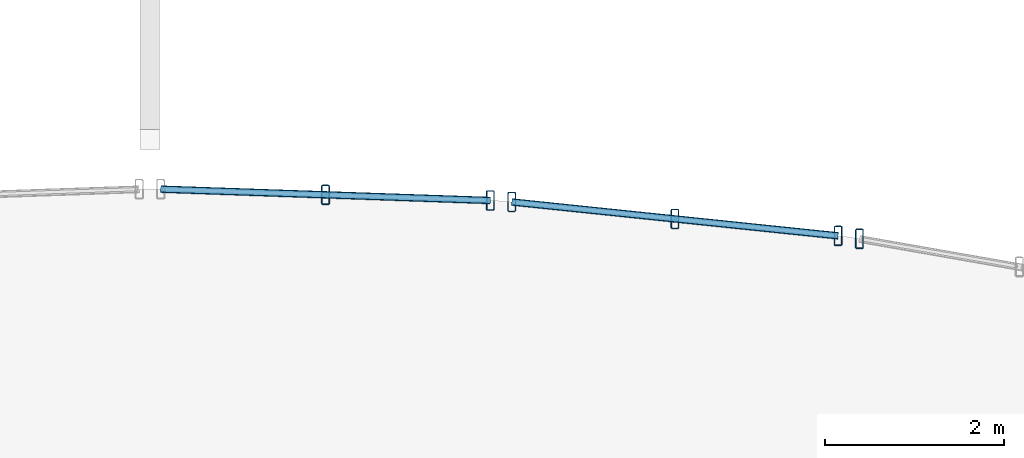
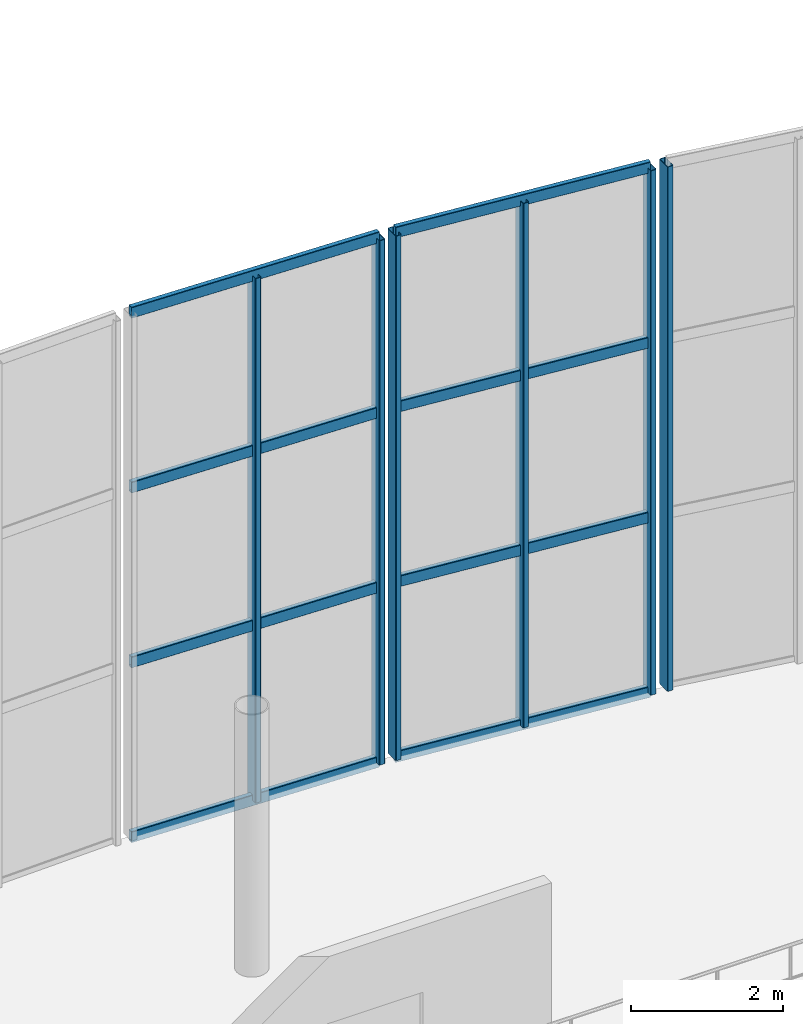
# One storey, part 37 of 109: 14 members, 3 elements without a shape of their own.
"""IFC4 building model written with IfcOpenShell, lengths in metres."""

from ifc_helpers import new_model, si_unit, derived_unit, direction, frame, origin, origin_2d, place, context, subcontext, project, spatial, hollow_rectangle, extrude, material, material_profile, profile_set, type_object, element, aggregate, save


model = new_model("IFC4")

# Units and contexts
model_context = context("Model", 3, precision=1e-05, world=origin(), true_north=direction((0.0, 1.0)))
body_context = subcontext(model_context, "Body", "Model", "MODEL_VIEW")
ifc_project = project(units=[si_unit("LENGTHUNIT", "METRE"), si_unit("AREAUNIT", "SQUARE_METRE"), si_unit("VOLUMEUNIT", "CUBIC_METRE"), si_unit("PLANEANGLEUNIT", "RADIAN"), si_unit("MASSUNIT", "GRAM", prefix="KILO"), derived_unit("THERMALTRANSMITTANCEUNIT", [(si_unit("MASSUNIT", "GRAM", prefix="KILO"), 1), (si_unit("TIMEUNIT", "SECOND"), -3), (si_unit("THERMODYNAMICTEMPERATUREUNIT", "KELVIN"), -1)])], contexts=[model_context])

# Site, building, storey
site_placement = place(None, origin())
site = spatial("IfcSite", under=ifc_project, at=site_placement, CompositionType="ELEMENT")
building_placement = place(site_placement, origin())
building = spatial("IfcBuilding", under=site, at=building_placement, Name="Kharveza Railside Sports Centre", CompositionType="ELEMENT")
storey_placement = place(building_placement, frame((0.0, 0.0, 4.5)))
storey = spatial("IfcBuildingStorey", under=building, at=storey_placement, Name="L01", CompositionType="ELEMENT", Elevation=4.5)

# Curtain wall, member
ifc_material_1 = material(Name="Low-E solar-control laminated glass", Category="glass")
curtain_wall_type = type_object("IfcCurtainWallType", Name="CW-DR01", PredefinedType="NOTDEFINED", material=ifc_material_1)
curtain_wall_1_placement = place(storey_placement, origin())
curtain_wall_1 = element("IfcCurtainWall", 1, at=curtain_wall_1_placement, inside=storey, type_object=curtain_wall_type, Name="CW-DRUM-14", PredefinedType="NOTDEFINED")
ifc_material_2 = material(Name="Anodised aluminium 6063-T6", Category="aluminium")
ifc_material_profile_1 = material_profile(ifc_material_2, hollow_rectangle(XDim=0.090087890625, YDim=0.219970703125, WallThickness=0.008056640625, InnerFilletRadius=0.008056640625, OuterFilletRadius=0.01611328125, at=origin_2d()), Name="RHS 90x220x8.0")
ifc_profile_set_1 = profile_set([ifc_material_profile_1], Name="Anodised aluminium 6063-T6")
member_type_1 = type_object("IfcMemberType", Name="CW-ML01", PredefinedType="MULLION", material=ifc_profile_set_1)
member_1_placement = place(storey_placement, frame((62.521728515625, 77.84130859375, 0.0), z_axis=(0.0, 0.0, 1.0), x_axis=(1.0, 0.0, 0.0)))
member_1 = element("IfcMember", 2, at=member_1_placement, type_object=member_type_1, Name="CW-DRUM-14-ML3", PredefinedType="MULLION", context=body_context, shape_type="SweptSolid", body=[
    extrude(hollow_rectangle(XDim=0.090087890625, YDim=0.219970703125, WallThickness=0.008056640625, InnerFilletRadius=0.008056640625, OuterFilletRadius=0.01611328125, at=origin_2d()), origin(), (0.0, 0.0, 1.0), 8.39990234375),
])
aggregate(curtain_wall_1, [member_1])

# Curtain wall, members
curtain_wall_2_placement = place(storey_placement, origin())
curtain_wall_2 = element("IfcCurtainWall", 3, at=curtain_wall_2_placement, inside=storey, type_object=curtain_wall_type, Name="CW-DRUM-15", PredefinedType="NOTDEFINED")
member_2_placement = place(storey_placement, frame((62.2841796875, 77.87451171875, 0.0), z_axis=(0.0, 0.0, 1.0), x_axis=(1.0, 0.0, 0.0)))
member_2 = element("IfcMember", 4, at=member_2_placement, type_object=member_type_1, Name="CW-DRUM-15-ML1", PredefinedType="MULLION", context=body_context, shape_type="SweptSolid", body=[
    extrude(hollow_rectangle(XDim=0.090087890625, YDim=0.219970703125, WallThickness=0.008056640625, InnerFilletRadius=0.008056640625, OuterFilletRadius=0.01611328125, at=origin_2d()), origin(), (0.0, 0.0, 1.0), 8.39990234375),
])
member_3_placement = place(storey_placement, frame((60.462158203125, 78.063720703125, 0.0), z_axis=(0.0, 0.0, 1.0), x_axis=(1.0, 0.0, 0.0)))
member_3 = element("IfcMember", 5, at=member_3_placement, type_object=member_type_1, Name="CW-DRUM-15-ML2", PredefinedType="MULLION", context=body_context, shape_type="SweptSolid", body=[
    extrude(hollow_rectangle(XDim=0.090087890625, YDim=0.219970703125, WallThickness=0.008056640625, InnerFilletRadius=0.008056640625, OuterFilletRadius=0.01611328125, at=origin_2d()), origin(), (0.0, 0.0, 1.0), 8.39990234375),
])
member_4_placement = place(storey_placement, frame((58.639892578125, 78.252685546875, 0.0), z_axis=(0.0, 0.0, 1.0), x_axis=(1.0, 0.0, 0.0)))
member_4 = element("IfcMember", 6, at=member_4_placement, type_object=member_type_1, Name="CW-DRUM-15-ML3", PredefinedType="MULLION", context=body_context, shape_type="SweptSolid", body=[
    extrude(hollow_rectangle(XDim=0.090087890625, YDim=0.219970703125, WallThickness=0.008056640625, InnerFilletRadius=0.008056640625, OuterFilletRadius=0.01611328125, at=origin_2d()), origin(), (0.0, 0.0, 1.0), 8.39990234375),
])

curtain_wall_3_placement = place(storey_placement, origin())
curtain_wall_3 = element("IfcCurtainWall", 7, at=curtain_wall_3_placement, inside=storey, type_object=curtain_wall_type, Name="CW-DRUM-16", PredefinedType="NOTDEFINED")
member_5_placement = place(storey_placement, frame((58.40087890625, 78.269287109375, 0.0), z_axis=(0.0, 0.0, 1.0), x_axis=(1.0, 0.0, 0.0)))
member_5 = element("IfcMember", 8, at=member_5_placement, type_object=member_type_1, Name="CW-DRUM-16-ML1", PredefinedType="MULLION", context=body_context, shape_type="SweptSolid", body=[
    extrude(hollow_rectangle(XDim=0.090087890625, YDim=0.219970703125, WallThickness=0.008056640625, InnerFilletRadius=0.008056640625, OuterFilletRadius=0.01611328125, at=origin_2d()), origin(), (0.0, 0.0, 1.0), 8.39990234375),
])
member_6_placement = place(storey_placement, frame((56.560302734375, 78.33251953125, 0.0), z_axis=(0.0, 0.0, 1.0), x_axis=(1.0, 0.0, 0.0)))
member_6 = element("IfcMember", 9, at=member_6_placement, type_object=member_type_1, Name="CW-DRUM-16-ML2", PredefinedType="MULLION", context=body_context, shape_type="SweptSolid", body=[
    extrude(hollow_rectangle(XDim=0.090087890625, YDim=0.219970703125, WallThickness=0.008056640625, InnerFilletRadius=0.008056640625, OuterFilletRadius=0.01611328125, at=origin_2d()), origin(), (0.0, 0.0, 1.0), 8.39990234375),
])

# Member
ifc_material_profile_2 = material_profile(ifc_material_2, hollow_rectangle(XDim=0.080078125, YDim=0.179931640625, WallThickness=0.00634765625, InnerFilletRadius=0.00634765625, OuterFilletRadius=0.0126953125, at=origin_2d()), Name="RHS 80x180x6.3")
ifc_profile_set_2 = profile_set([ifc_material_profile_2], Name="Anodised aluminium 6063-T6")
member_type_2 = type_object("IfcMemberType", Name="CW-TR01", PredefinedType="USERDEFINED", material=ifc_profile_set_2)
member_7_placement = place(storey_placement, frame((62.2841796875, 77.87451171875, 0.0), z_axis=(-0.994658817436, 0.103217425351, 0.0), x_axis=(-0.103217425351, -0.994658817436, 0.0)))
member_7 = element("IfcMember", 10, at=member_7_placement, type_object=member_type_2, Name="CW-DRUM-15-TR1", ObjectType="TRANSOM", PredefinedType="USERDEFINED", context=body_context, shape_type="SweptSolid", body=[
    extrude(hollow_rectangle(XDim=0.080078125, YDim=0.179931640625, WallThickness=0.00634765625, InnerFilletRadius=0.00634765625, OuterFilletRadius=0.0126953125, at=origin_2d()), origin(), (0.0, 0.0, 1.0), 3.663818359375),
])

member_8_placement = place(storey_placement, frame((62.2841796875, 77.87451171875, 2.800048828125), z_axis=(-0.994658817436, 0.103217425351, 0.0), x_axis=(-0.103217425351, -0.994658817436, 0.0)))
member_8 = element("IfcMember", 11, at=member_8_placement, type_object=member_type_2, Name="CW-DRUM-15-TR2", ObjectType="TRANSOM", PredefinedType="USERDEFINED", context=body_context, shape_type="SweptSolid", body=[
    extrude(hollow_rectangle(XDim=0.080078125, YDim=0.179931640625, WallThickness=0.00634765625, InnerFilletRadius=0.00634765625, OuterFilletRadius=0.0126953125, at=origin_2d()), origin(), (0.0, 0.0, 1.0), 3.663818359375),
])

member_9_placement = place(storey_placement, frame((62.2841796875, 77.87451171875, 5.60009765625), z_axis=(-0.994658817436, 0.103217425351, 0.0), x_axis=(-0.103217425351, -0.994658817436, 0.0)))
member_9 = element("IfcMember", 12, at=member_9_placement, type_object=member_type_2, Name="CW-DRUM-15-TR3", ObjectType="TRANSOM", PredefinedType="USERDEFINED", context=body_context, shape_type="SweptSolid", body=[
    extrude(hollow_rectangle(XDim=0.080078125, YDim=0.179931640625, WallThickness=0.00634765625, InnerFilletRadius=0.00634765625, OuterFilletRadius=0.0126953125, at=origin_2d()), origin(), (0.0, 0.0, 1.0), 3.663818359375),
])

member_10_placement = place(storey_placement, frame((62.2841796875, 77.87451171875, 8.39990234375), z_axis=(-0.994658817436, 0.103217425351, 0.0), x_axis=(-0.103217425351, -0.994658817436, 0.0)))
member_10 = element("IfcMember", 13, at=member_10_placement, type_object=member_type_2, Name="CW-DRUM-15-TR4", ObjectType="TRANSOM", PredefinedType="USERDEFINED", context=body_context, shape_type="SweptSolid", body=[
    extrude(hollow_rectangle(XDim=0.080078125, YDim=0.179931640625, WallThickness=0.00634765625, InnerFilletRadius=0.00634765625, OuterFilletRadius=0.0126953125, at=origin_2d()), origin(), (0.0, 0.0, 1.0), 3.663818359375),
])

aggregate(curtain_wall_2, [member_2, member_3, member_4, member_7, member_8, member_9, member_10])

member_11_placement = place(storey_placement, frame((58.40087890625, 78.269287109375, 0.0), z_axis=(-0.999408044456, 0.034402916699, 0.0), x_axis=(-0.034402916699, -0.999408044456, 0.0)))
member_11 = element("IfcMember", 14, at=member_11_placement, type_object=member_type_2, Name="CW-DRUM-16-TR1", ObjectType="TRANSOM", PredefinedType="USERDEFINED", context=body_context, shape_type="SweptSolid", body=[
    extrude(hollow_rectangle(XDim=0.080078125, YDim=0.179931640625, WallThickness=0.00634765625, InnerFilletRadius=0.00634765625, OuterFilletRadius=0.0126953125, at=origin_2d()), origin(), (0.0, 0.0, 1.0), 3.68310546875),
])

member_12_placement = place(storey_placement, frame((58.40087890625, 78.269287109375, 2.800048828125), z_axis=(-0.999408044456, 0.034402916699, 0.0), x_axis=(-0.034402916699, -0.999408044456, 0.0)))
member_12 = element("IfcMember", 15, at=member_12_placement, type_object=member_type_2, Name="CW-DRUM-16-TR2", ObjectType="TRANSOM", PredefinedType="USERDEFINED", context=body_context, shape_type="SweptSolid", body=[
    extrude(hollow_rectangle(XDim=0.080078125, YDim=0.179931640625, WallThickness=0.00634765625, InnerFilletRadius=0.00634765625, OuterFilletRadius=0.0126953125, at=origin_2d()), origin(), (0.0, 0.0, 1.0), 3.68310546875),
])

member_13_placement = place(storey_placement, frame((58.40087890625, 78.269287109375, 5.60009765625), z_axis=(-0.999408044456, 0.034402916699, 0.0), x_axis=(-0.034402916699, -0.999408044456, 0.0)))
member_13 = element("IfcMember", 16, at=member_13_placement, type_object=member_type_2, Name="CW-DRUM-16-TR3", ObjectType="TRANSOM", PredefinedType="USERDEFINED", context=body_context, shape_type="SweptSolid", body=[
    extrude(hollow_rectangle(XDim=0.080078125, YDim=0.179931640625, WallThickness=0.00634765625, InnerFilletRadius=0.00634765625, OuterFilletRadius=0.0126953125, at=origin_2d()), origin(), (0.0, 0.0, 1.0), 3.68310546875),
])

member_14_placement = place(storey_placement, frame((58.40087890625, 78.269287109375, 8.39990234375), z_axis=(-0.999408044456, 0.034402916699, 0.0), x_axis=(-0.034402916699, -0.999408044456, 0.0)))
member_14 = element("IfcMember", 17, at=member_14_placement, type_object=member_type_2, Name="CW-DRUM-16-TR4", ObjectType="TRANSOM", PredefinedType="USERDEFINED", context=body_context, shape_type="SweptSolid", body=[
    extrude(hollow_rectangle(XDim=0.080078125, YDim=0.179931640625, WallThickness=0.00634765625, InnerFilletRadius=0.00634765625, OuterFilletRadius=0.0126953125, at=origin_2d()), origin(), (0.0, 0.0, 1.0), 3.68310546875),
])

aggregate(curtain_wall_3, [member_5, member_6, member_11, member_12, member_13, member_14])

save(model, "model.ifc")
